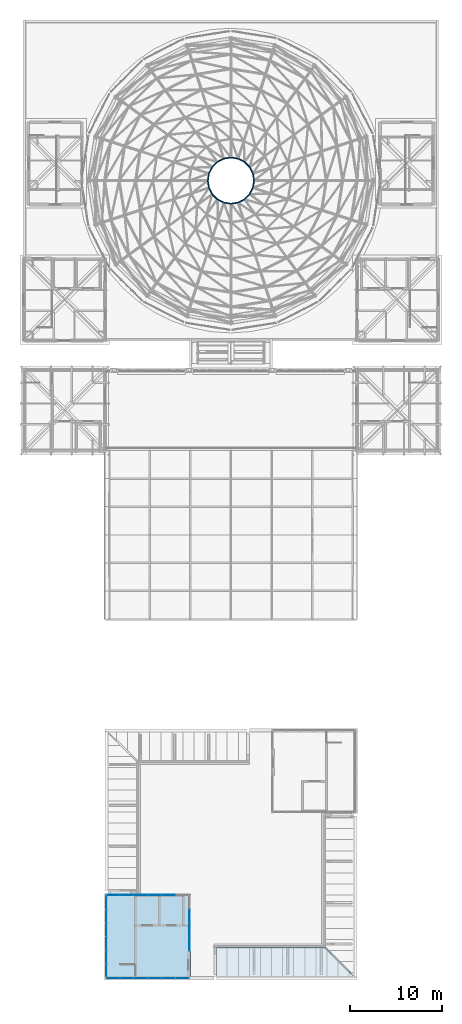
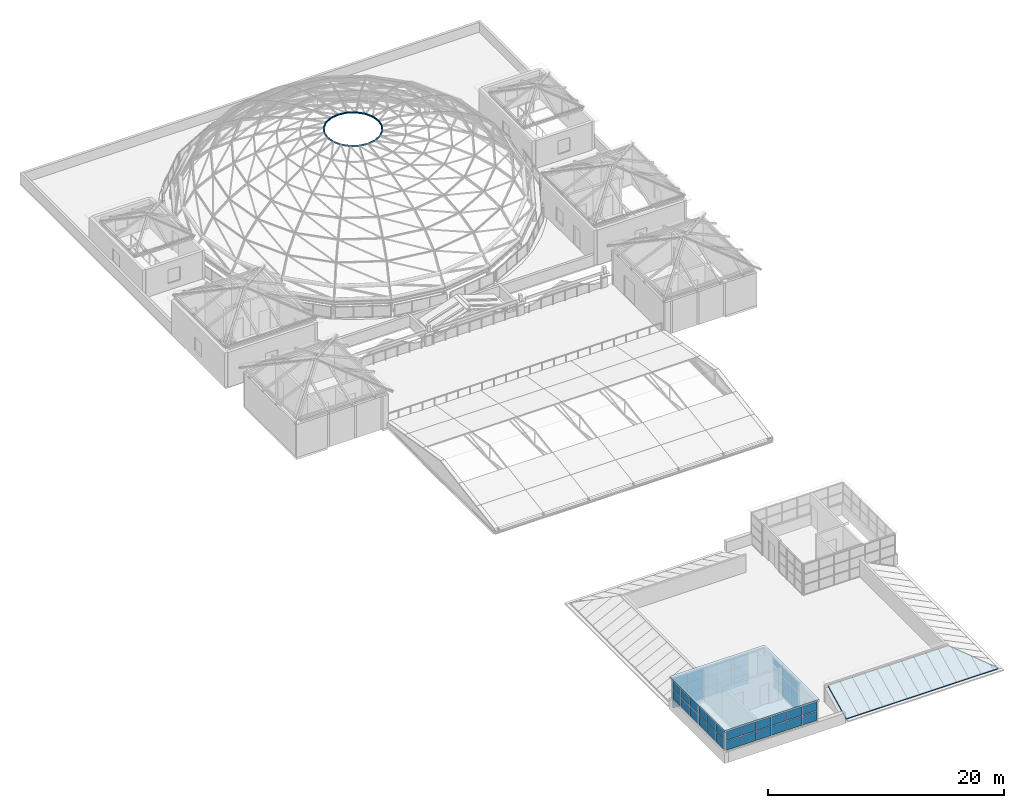
# One storey, part 39 of 69: 48 plates, 20 members, 2 slabs, 4 elements without a shape of their own.
"""IFC4 building model written with IfcOpenShell, lengths in metres."""

from ifc_helpers import new_model, si_unit, direction, frame, origin, origin_2d, place, context, subcontext, project, spatial, polyline, rectangle, hollow_circle, outline, extrude, material, layer, layer_set, material_profile, profile_set, type_object, element, aggregate, save


model = new_model("IFC4")

# Units and contexts
model_context = context("Model", 3, precision=1e-05, world=origin(), true_north=direction((0.0, 1.0)))
body_context = subcontext(model_context, "Body", "Model", "MODEL_VIEW")
ifc_project = project(units=[si_unit("LENGTHUNIT", "METRE"), si_unit("AREAUNIT", "SQUARE_METRE"), si_unit("VOLUMEUNIT", "CUBIC_METRE"), si_unit("PLANEANGLEUNIT", "RADIAN"), si_unit("MASSUNIT", "GRAM", prefix="KILO")], contexts=[model_context])

# Site, building, storey
site_placement = place(None, origin())
site = spatial("IfcSite", under=ifc_project, at=site_placement, CompositionType="ELEMENT")
building_placement = place(site_placement, origin())
building = spatial("IfcBuilding", under=site, at=building_placement, Name="Kallimachos Central Library", CompositionType="ELEMENT")
storey_placement = place(building_placement, frame((0.0, 0.0, 23.39990234375)))
storey = spatial("IfcBuildingStorey", under=building, at=storey_placement, Name="L05", CompositionType="ELEMENT", Elevation=23.39990234375)

# Members
ifc_material_1 = material(Name="Steel S355J2H", Category="steel")
ifc_material_profile = material_profile(ifc_material_1, hollow_circle(Radius=0.084228515625, WallThickness=0.008056640625, at=origin_2d()), Name="CHS 168.3x8")
ifc_profile_set = profile_set([ifc_material_profile], Name="Steel S355J2H")
member_type = type_object("IfcMemberType", Name="CHS 168.3x8 dome ring", PredefinedType="PURLIN", material=ifc_profile_set)
member_1_placement = place(storey_placement, frame((90.5, 104.39990234375, 8.245849609375), z_axis=(-0.156347167078, 0.987702163279, 0.0), x_axis=(-0.987702163279, -0.156347167078, 0.0)))
element("IfcMember", 1, at=member_1_placement, inside=storey, type_object=member_type, Name="Dome ring DN-0-00", PredefinedType="PURLIN", context=body_context, shape_type="SweptSolid", body=[
    extrude(hollow_circle(Radius=0.084228515625, WallThickness=0.008056640625, at=origin_2d()), origin(), (0.0, 0.0, 1.0), 0.7822265625),
])
member_2_placement = place(storey_placement, frame((90.377685546875, 105.172607421875, 8.245849609375), z_axis=(-0.454192305579, 0.890903670187, 0.0), x_axis=(-0.890903670187, -0.454192305579, 0.0)))
element("IfcMember", 2, at=member_2_placement, inside=storey, type_object=member_type, Name="Dome ring DN-0-01", PredefinedType="PURLIN", context=body_context, shape_type="SweptSolid", body=[
    extrude(hollow_circle(Radius=0.084228515625, WallThickness=0.008056640625, at=origin_2d()), origin(), (0.0, 0.0, 1.0), 0.781982421875),
])
for number, where, z_axis, x_axis, name in (
    (3, (90.0224609375, 105.869384765625, 8.245849609375), (-0.706950704207, 0.707262823723, 0.0), (-0.707262823723, -0.706950704207, 0.0), "Dome ring DN-0-02"),
    (4, (89.469482421875, 106.422607421875, 8.245849609375), (-0.891094274064, 0.453818239751, 0.0), (-0.453818239751, -0.891094274064, 0.0), "Dome ring DN-0-03"),
):
    element("IfcMember", number, at=place(storey_placement, frame(where, z_axis=z_axis, x_axis=x_axis)), inside=storey, type_object=member_type, Name=name, PredefinedType="PURLIN", context=body_context, shape_type="SweptSolid", body=[
        extrude(hollow_circle(Radius=0.084228515625, WallThickness=0.008056640625, at=origin_2d()), origin(), (0.0, 0.0, 1.0), 0.7822265625),
    ])
for number, where, z_axis, x_axis, name in (
    (5, (88.7724609375, 106.777587890625, 8.245849609375), (-0.987694531371, 0.156395373014, 0.0), (-0.156395373014, -0.987694531371, 0.0), "Dome ring DN-0-04"),
    (6, (88.0, 106.89990234375, 8.245849609375), (-0.987694531371, -0.156395373014, 0.0), (0.156395373014, -0.987694531371, 0.0), "Dome ring DN-0-05"),
):
    element("IfcMember", number, at=place(storey_placement, frame(where, z_axis=z_axis, x_axis=x_axis)), inside=storey, type_object=member_type, Name=name, PredefinedType="PURLIN", context=body_context, shape_type="SweptSolid", body=[
        extrude(hollow_circle(Radius=0.084228515625, WallThickness=0.008056640625, at=origin_2d()), origin(), (0.0, 0.0, 1.0), 0.781982421875),
    ])
for number, where, z_axis, x_axis, name in (
    (7, (87.2275390625, 106.777587890625, 8.245849609375), (-0.891094274064, -0.453818239751, 0.0), (0.453818239751, -0.891094274064, 0.0), "Dome ring DN-0-06"),
    (8, (86.530517578125, 106.422607421875, 8.245849609375), (-0.706950704207, -0.707262823723, 0.0), (0.707262823723, -0.706950704207, 0.0), "Dome ring DN-0-07"),
):
    element("IfcMember", number, at=place(storey_placement, frame(where, z_axis=z_axis, x_axis=x_axis)), inside=storey, type_object=member_type, Name=name, PredefinedType="PURLIN", context=body_context, shape_type="SweptSolid", body=[
        extrude(hollow_circle(Radius=0.084228515625, WallThickness=0.008056640625, at=origin_2d()), origin(), (0.0, 0.0, 1.0), 0.7822265625),
    ])
member_3_placement = place(storey_placement, frame((85.9775390625, 105.869384765625, 8.245849609375), z_axis=(-0.454192305579, -0.890903670187, 0.0), x_axis=(0.890903670187, -0.454192305579, 0.0)))
element("IfcMember", 9, at=member_3_placement, inside=storey, type_object=member_type, Name="Dome ring DN-0-08", PredefinedType="PURLIN", context=body_context, shape_type="SweptSolid", body=[
    extrude(hollow_circle(Radius=0.084228515625, WallThickness=0.008056640625, at=origin_2d()), origin(), (0.0, 0.0, 1.0), 0.781982421875),
])
member_4_placement = place(storey_placement, frame((85.622314453125, 105.172607421875, 8.245849609375), z_axis=(-0.156347167078, -0.987702163279, 0.0), x_axis=(0.987702163279, -0.156347167078, 0.0)))
element("IfcMember", 10, at=member_4_placement, inside=storey, type_object=member_type, Name="Dome ring DN-0-09", PredefinedType="PURLIN", context=body_context, shape_type="SweptSolid", body=[
    extrude(hollow_circle(Radius=0.084228515625, WallThickness=0.008056640625, at=origin_2d()), origin(), (0.0, 0.0, 1.0), 0.7822265625),
])
member_5_placement = place(storey_placement, frame((85.5, 104.39990234375, 8.245849609375), z_axis=(0.156395373014, -0.987694531371, 0.0), x_axis=(0.987694531371, 0.156395373014, 0.0)))
element("IfcMember", 11, at=member_5_placement, inside=storey, type_object=member_type, Name="Dome ring DN-0-10", PredefinedType="PURLIN", context=body_context, shape_type="SweptSolid", body=[
    extrude(hollow_circle(Radius=0.084228515625, WallThickness=0.008056640625, at=origin_2d()), origin(), (0.0, 0.0, 1.0), 0.781982421875),
])
member_6_placement = place(storey_placement, frame((85.622314453125, 103.62744140625, 8.245849609375), z_axis=(0.454066023354, -0.890968038953, 0.0), x_axis=(0.890968038953, 0.454066023354, 0.0)))
element("IfcMember", 12, at=member_6_placement, inside=storey, type_object=member_type, Name="Dome ring DN-0-11", PredefinedType="PURLIN", context=body_context, shape_type="SweptSolid", body=[
    extrude(hollow_circle(Radius=0.084228515625, WallThickness=0.008056640625, at=origin_2d()), origin(), (0.0, 0.0, 1.0), 0.7822265625),
])
member_7_placement = place(storey_placement, frame((85.9775390625, 102.930419921875, 8.245849609375), z_axis=(0.707106781187, -0.707106781187, 0.0), x_axis=(0.707106781187, 0.707106781187, 0.0)))
element("IfcMember", 13, at=member_7_placement, inside=storey, type_object=member_type, Name="Dome ring DN-0-12", PredefinedType="PURLIN", context=body_context, shape_type="SweptSolid", body=[
    extrude(hollow_circle(Radius=0.084228515625, WallThickness=0.008056640625, at=origin_2d()), origin(), (0.0, 0.0, 1.0), 0.781982421875),
])
for number, where, z_axis, x_axis, name in (
    (14, (86.530517578125, 102.37744140625, 8.245849609375), (0.891094274064, -0.453818239751, 0.0), (0.453818239751, 0.891094274064, 0.0), "Dome ring DN-0-13"),
    (15, (87.2275390625, 102.0224609375, 8.245849609375), (0.987646266172, -0.156699881675, 0.0), (0.156699881675, 0.987646266172, 0.0), "Dome ring DN-0-14"),
    (16, (88.0, 101.89990234375, 8.245849609375), (0.987646266172, 0.156699881675, 0.0), (-0.156699881675, 0.987646266172, 0.0), "Dome ring DN-0-15"),
    (17, (88.7724609375, 102.0224609375, 8.245849609375), (0.891094274064, 0.453818239751, 0.0), (-0.453818239751, 0.891094274064, 0.0), "Dome ring DN-0-16"),
):
    element("IfcMember", number, at=place(storey_placement, frame(where, z_axis=z_axis, x_axis=x_axis)), inside=storey, type_object=member_type, Name=name, PredefinedType="PURLIN", context=body_context, shape_type="SweptSolid", body=[
        extrude(hollow_circle(Radius=0.084228515625, WallThickness=0.008056640625, at=origin_2d()), origin(), (0.0, 0.0, 1.0), 0.7822265625),
    ])
member_8_placement = place(storey_placement, frame((89.469482421875, 102.37744140625, 8.245849609375), z_axis=(0.707106781187, 0.707106781187, 0.0), x_axis=(-0.707106781187, 0.707106781187, 0.0)))
element("IfcMember", 18, at=member_8_placement, inside=storey, type_object=member_type, Name="Dome ring DN-0-17", PredefinedType="PURLIN", context=body_context, shape_type="SweptSolid", body=[
    extrude(hollow_circle(Radius=0.084228515625, WallThickness=0.008056640625, at=origin_2d()), origin(), (0.0, 0.0, 1.0), 0.781982421875),
])
member_9_placement = place(storey_placement, frame((90.0224609375, 102.930419921875, 8.245849609375), z_axis=(0.454066023354, 0.890968038953, 0.0), x_axis=(-0.890968038953, 0.454066023354, 0.0)))
element("IfcMember", 19, at=member_9_placement, inside=storey, type_object=member_type, Name="Dome ring DN-0-18", PredefinedType="PURLIN", context=body_context, shape_type="SweptSolid", body=[
    extrude(hollow_circle(Radius=0.084228515625, WallThickness=0.008056640625, at=origin_2d()), origin(), (0.0, 0.0, 1.0), 0.7822265625),
])
member_10_placement = place(storey_placement, frame((90.377685546875, 103.62744140625, 8.245849609375), z_axis=(0.156395373014, 0.987694531371, 0.0), x_axis=(-0.987694531371, 0.156395373014, 0.0)))
element("IfcMember", 20, at=member_10_placement, inside=storey, type_object=member_type, Name="Dome ring DN-0-19", PredefinedType="PURLIN", context=body_context, shape_type="SweptSolid", body=[
    extrude(hollow_circle(Radius=0.084228515625, WallThickness=0.008056640625, at=origin_2d()), origin(), (0.0, 0.0, 1.0), 0.781982421875),
])

# Slab
ifc_material_2 = material(Name="Composite slab C30/37 on steel deck", Category="concrete")
ifc_layer_1 = layer(ifc_material_2, 0.199951171875)
ifc_layer_set_1 = layer_set([ifc_layer_1], Name="Head house roof slab 200")
slab_type_1 = type_object("IfcSlabType", Name="Head house roof slab 200", PredefinedType="ROOF", material=ifc_layer_set_1)
slab_1_placement = place(storey_placement, frame((0.0, 0.0, 3.2001953125)))
element("IfcSlab", 21, at=slab_1_placement, inside=storey, type_object=slab_type_1, Name="South-west lift head roof", PredefinedType="ROOF", context=body_context, shape_type="SweptSolid", body=[
    extrude(outline(polyline([(74.300048828125, 17.800048828125), (83.60009765625, 17.800048828125), (83.60009765625, 27.10009765625), (74.300048828125, 27.10009765625), (74.300048828125, 17.800048828125)])), origin(), (0.0, 0.0, 1.0), 0.199951171875),
])

# Curtain wall, plates
ifc_material_3 = material(Name="Aluminium and laminated glass", Category="aluminium")
curtain_wall_type = type_object("IfcCurtainWallType", Name="Glazed lantern wall", PredefinedType="NOTDEFINED", material=ifc_material_3)
curtain_wall_1_placement = place(storey_placement, origin())
curtain_wall_1 = element("IfcCurtainWall", 22, at=curtain_wall_1_placement, inside=storey, type_object=curtain_wall_type, Name="V5-CWL-L05-001", PredefinedType="NOTDEFINED")
ifc_material_4 = material(Name="Laminated glass", Category="glass")
ifc_layer_2 = layer(ifc_material_4, 0.028076171875)
ifc_layer_set_2 = layer_set([ifc_layer_2], Name="Laminated glass panel 28")
plate_type = type_object("IfcPlateType", Name="Laminated glass panel 28", PredefinedType="CURTAIN_PANEL", material=ifc_layer_set_2)
plate_1_placement = place(storey_placement, frame((75.264892578125, 18.0, 1.16015625), z_axis=(0.0, 0.0, 1.0), x_axis=(1.0, 0.0, 0.0)))
plate_1 = element("IfcPlate", 23, at=plate_1_placement, type_object=plate_type, Name="CW2 panel 1.1", PredefinedType="CURTAIN_PANEL", context=body_context, shape_type="SweptSolid", body=[
    extrude(rectangle(XDim=1.409912109375, YDim=0.028076171875, at=origin_2d()), origin(), (0.0, 0.0, 1.0), 0.9599609375),
])
plate_2_placement = place(storey_placement, frame((75.264892578125, 18.0, 2.18017578125), z_axis=(0.0, 0.0, 1.0), x_axis=(1.0, 0.0, 0.0)))
plate_2 = element("IfcPlate", 24, at=plate_2_placement, type_object=plate_type, Name="CW2 panel 1.2", PredefinedType="CURTAIN_PANEL", context=body_context, shape_type="SweptSolid", body=[
    extrude(rectangle(XDim=1.409912109375, YDim=0.028076171875, at=origin_2d()), origin(), (0.0, 0.0, 1.0), 0.9599609375),
])
plate_3_placement = place(storey_placement, frame((76.75, 18.0, 1.16015625), z_axis=(0.0, 0.0, 1.0), x_axis=(1.0, 0.0, 0.0)))
plate_3 = element("IfcPlate", 25, at=plate_3_placement, type_object=plate_type, Name="CW2 panel 2.1", PredefinedType="CURTAIN_PANEL", context=body_context, shape_type="SweptSolid", body=[
    extrude(rectangle(XDim=1.43994140625, YDim=0.028076171875, at=origin_2d()), origin(), (0.0, 0.0, 1.0), 0.9599609375),
])
plate_4_placement = place(storey_placement, frame((76.75, 18.0, 2.18017578125), z_axis=(0.0, 0.0, 1.0), x_axis=(1.0, 0.0, 0.0)))
plate_4 = element("IfcPlate", 26, at=plate_4_placement, type_object=plate_type, Name="CW2 panel 2.2", PredefinedType="CURTAIN_PANEL", context=body_context, shape_type="SweptSolid", body=[
    extrude(rectangle(XDim=1.43994140625, YDim=0.028076171875, at=origin_2d()), origin(), (0.0, 0.0, 1.0), 0.9599609375),
])
plate_5_placement = place(storey_placement, frame((78.25, 18.0, 1.16015625), z_axis=(0.0, 0.0, 1.0), x_axis=(1.0, 0.0, 0.0)))
plate_5 = element("IfcPlate", 27, at=plate_5_placement, type_object=plate_type, Name="CW2 panel 3.1", PredefinedType="CURTAIN_PANEL", context=body_context, shape_type="SweptSolid", body=[
    extrude(rectangle(XDim=1.43994140625, YDim=0.028076171875, at=origin_2d()), origin(), (0.0, 0.0, 1.0), 0.9599609375),
])
plate_6_placement = place(storey_placement, frame((78.25, 18.0, 2.18017578125), z_axis=(0.0, 0.0, 1.0), x_axis=(1.0, 0.0, 0.0)))
plate_6 = element("IfcPlate", 28, at=plate_6_placement, type_object=plate_type, Name="CW2 panel 3.2", PredefinedType="CURTAIN_PANEL", context=body_context, shape_type="SweptSolid", body=[
    extrude(rectangle(XDim=1.43994140625, YDim=0.028076171875, at=origin_2d()), origin(), (0.0, 0.0, 1.0), 0.9599609375),
])
plate_7_placement = place(storey_placement, frame((79.75, 18.0, 1.16015625), z_axis=(0.0, 0.0, 1.0), x_axis=(1.0, 0.0, 0.0)))
plate_7 = element("IfcPlate", 29, at=plate_7_placement, type_object=plate_type, Name="CW2 panel 4.1", PredefinedType="CURTAIN_PANEL", context=body_context, shape_type="SweptSolid", body=[
    extrude(rectangle(XDim=1.43994140625, YDim=0.028076171875, at=origin_2d()), origin(), (0.0, 0.0, 1.0), 0.9599609375),
])
plate_8_placement = place(storey_placement, frame((79.75, 18.0, 2.18017578125), z_axis=(0.0, 0.0, 1.0), x_axis=(1.0, 0.0, 0.0)))
plate_8 = element("IfcPlate", 30, at=plate_8_placement, type_object=plate_type, Name="CW2 panel 4.2", PredefinedType="CURTAIN_PANEL", context=body_context, shape_type="SweptSolid", body=[
    extrude(rectangle(XDim=1.43994140625, YDim=0.028076171875, at=origin_2d()), origin(), (0.0, 0.0, 1.0), 0.9599609375),
])
plate_9_placement = place(storey_placement, frame((81.25, 18.0, 1.16015625), z_axis=(0.0, 0.0, 1.0), x_axis=(1.0, 0.0, 0.0)))
plate_9 = element("IfcPlate", 31, at=plate_9_placement, type_object=plate_type, Name="CW2 panel 5.1", PredefinedType="CURTAIN_PANEL", context=body_context, shape_type="SweptSolid", body=[
    extrude(rectangle(XDim=1.43994140625, YDim=0.028076171875, at=origin_2d()), origin(), (0.0, 0.0, 1.0), 0.9599609375),
])
plate_10_placement = place(storey_placement, frame((81.25, 18.0, 2.18017578125), z_axis=(0.0, 0.0, 1.0), x_axis=(1.0, 0.0, 0.0)))
plate_10 = element("IfcPlate", 32, at=plate_10_placement, type_object=plate_type, Name="CW2 panel 5.2", PredefinedType="CURTAIN_PANEL", context=body_context, shape_type="SweptSolid", body=[
    extrude(rectangle(XDim=1.43994140625, YDim=0.028076171875, at=origin_2d()), origin(), (0.0, 0.0, 1.0), 0.9599609375),
])
plate_11_placement = place(storey_placement, frame((82.735107421875, 18.0, 1.16015625), z_axis=(0.0, 0.0, 1.0), x_axis=(1.0, 0.0, 0.0)))
plate_11 = element("IfcPlate", 33, at=plate_11_placement, type_object=plate_type, Name="CW2 panel 6.1", PredefinedType="CURTAIN_PANEL", context=body_context, shape_type="SweptSolid", body=[
    extrude(rectangle(XDim=1.409912109375, YDim=0.028076171875, at=origin_2d()), origin(), (0.0, 0.0, 1.0), 0.9599609375),
])
plate_12_placement = place(storey_placement, frame((82.735107421875, 18.0, 2.18017578125), z_axis=(0.0, 0.0, 1.0), x_axis=(1.0, 0.0, 0.0)))
plate_12 = element("IfcPlate", 34, at=plate_12_placement, type_object=plate_type, Name="CW2 panel 6.2", PredefinedType="CURTAIN_PANEL", context=body_context, shape_type="SweptSolid", body=[
    extrude(rectangle(XDim=1.409912109375, YDim=0.028076171875, at=origin_2d()), origin(), (0.0, 0.0, 1.0), 0.9599609375),
])
aggregate(curtain_wall_1, [plate_1, plate_2, plate_3, plate_4, plate_5, plate_6, plate_7, plate_8, plate_9, plate_10, plate_11, plate_12])

curtain_wall_2_placement = place(storey_placement, origin())
curtain_wall_2 = element("IfcCurtainWall", 35, at=curtain_wall_2_placement, inside=storey, type_object=curtain_wall_type, Name="V5-CWL-L05-002", PredefinedType="NOTDEFINED")
plate_13_placement = place(storey_placement, frame((74.5, 18.831787109375, 1.16015625), z_axis=(0.0, 0.0, 1.0), x_axis=(0.0, 1.0, 0.0)))
plate_13 = element("IfcPlate", 36, at=plate_13_placement, type_object=plate_type, Name="CW3 panel 1.1", PredefinedType="CURTAIN_PANEL", context=body_context, shape_type="SweptSolid", body=[
    extrude(rectangle(XDim=1.38330078125, YDim=0.028076171875, at=origin_2d()), origin(), (0.0, 0.0, 1.0), 0.9599609375),
])
plate_14_placement = place(storey_placement, frame((74.5, 18.831787109375, 2.18017578125), z_axis=(0.0, 0.0, 1.0), x_axis=(0.0, 1.0, 0.0)))
plate_14 = element("IfcPlate", 37, at=plate_14_placement, type_object=plate_type, Name="CW3 panel 1.2", PredefinedType="CURTAIN_PANEL", context=body_context, shape_type="SweptSolid", body=[
    extrude(rectangle(XDim=1.38330078125, YDim=0.028076171875, at=origin_2d()), origin(), (0.0, 0.0, 1.0), 0.9599609375),
])
plate_15_placement = place(storey_placement, frame((74.5, 20.2900390625, 1.16015625), z_axis=(0.0, 0.0, 1.0), x_axis=(0.0, 1.0, 0.0)))
plate_15 = element("IfcPlate", 38, at=plate_15_placement, type_object=plate_type, Name="CW3 panel 2.1", PredefinedType="CURTAIN_PANEL", context=body_context, shape_type="SweptSolid", body=[
    extrude(rectangle(XDim=1.413330078125, YDim=0.028076171875, at=origin_2d()), origin(), (0.0, 0.0, 1.0), 0.9599609375),
])
plate_16_placement = place(storey_placement, frame((74.5, 20.2900390625, 2.18017578125), z_axis=(0.0, 0.0, 1.0), x_axis=(0.0, 1.0, 0.0)))
plate_16 = element("IfcPlate", 39, at=plate_16_placement, type_object=plate_type, Name="CW3 panel 2.2", PredefinedType="CURTAIN_PANEL", context=body_context, shape_type="SweptSolid", body=[
    extrude(rectangle(XDim=1.413330078125, YDim=0.028076171875, at=origin_2d()), origin(), (0.0, 0.0, 1.0), 0.9599609375),
])
plate_17_placement = place(storey_placement, frame((74.5, 21.763427734375, 1.16015625), z_axis=(0.0, 0.0, 1.0), x_axis=(0.0, 1.0, 0.0)))
plate_17 = element("IfcPlate", 40, at=plate_17_placement, type_object=plate_type, Name="CW3 panel 3.1", PredefinedType="CURTAIN_PANEL", context=body_context, shape_type="SweptSolid", body=[
    extrude(rectangle(XDim=1.413330078125, YDim=0.028076171875, at=origin_2d()), origin(), (0.0, 0.0, 1.0), 0.9599609375),
])
plate_18_placement = place(storey_placement, frame((74.5, 21.763427734375, 2.18017578125), z_axis=(0.0, 0.0, 1.0), x_axis=(0.0, 1.0, 0.0)))
plate_18 = element("IfcPlate", 41, at=plate_18_placement, type_object=plate_type, Name="CW3 panel 3.2", PredefinedType="CURTAIN_PANEL", context=body_context, shape_type="SweptSolid", body=[
    extrude(rectangle(XDim=1.413330078125, YDim=0.028076171875, at=origin_2d()), origin(), (0.0, 0.0, 1.0), 0.9599609375),
])
plate_19_placement = place(storey_placement, frame((74.5, 23.236572265625, 1.16015625), z_axis=(0.0, 0.0, 1.0), x_axis=(0.0, 1.0, 0.0)))
plate_19 = element("IfcPlate", 42, at=plate_19_placement, type_object=plate_type, Name="CW3 panel 4.1", PredefinedType="CURTAIN_PANEL", context=body_context, shape_type="SweptSolid", body=[
    extrude(rectangle(XDim=1.413330078125, YDim=0.028076171875, at=origin_2d()), origin(), (0.0, 0.0, 1.0), 0.9599609375),
])
plate_20_placement = place(storey_placement, frame((74.5, 23.236572265625, 2.18017578125), z_axis=(0.0, 0.0, 1.0), x_axis=(0.0, 1.0, 0.0)))
plate_20 = element("IfcPlate", 43, at=plate_20_placement, type_object=plate_type, Name="CW3 panel 4.2", PredefinedType="CURTAIN_PANEL", context=body_context, shape_type="SweptSolid", body=[
    extrude(rectangle(XDim=1.413330078125, YDim=0.028076171875, at=origin_2d()), origin(), (0.0, 0.0, 1.0), 0.9599609375),
])
plate_21_placement = place(storey_placement, frame((74.5, 24.7099609375, 1.16015625), z_axis=(0.0, 0.0, 1.0), x_axis=(0.0, 1.0, 0.0)))
plate_21 = element("IfcPlate", 44, at=plate_21_placement, type_object=plate_type, Name="CW3 panel 5.1", PredefinedType="CURTAIN_PANEL", context=body_context, shape_type="SweptSolid", body=[
    extrude(rectangle(XDim=1.413330078125, YDim=0.028076171875, at=origin_2d()), origin(), (0.0, 0.0, 1.0), 0.9599609375),
])
plate_22_placement = place(storey_placement, frame((74.5, 24.7099609375, 2.18017578125), z_axis=(0.0, 0.0, 1.0), x_axis=(0.0, 1.0, 0.0)))
plate_22 = element("IfcPlate", 45, at=plate_22_placement, type_object=plate_type, Name="CW3 panel 5.2", PredefinedType="CURTAIN_PANEL", context=body_context, shape_type="SweptSolid", body=[
    extrude(rectangle(XDim=1.413330078125, YDim=0.028076171875, at=origin_2d()), origin(), (0.0, 0.0, 1.0), 0.9599609375),
])
plate_23_placement = place(storey_placement, frame((74.5, 26.168212890625, 1.16015625), z_axis=(0.0, 0.0, 1.0), x_axis=(0.0, 1.0, 0.0)))
plate_23 = element("IfcPlate", 46, at=plate_23_placement, type_object=plate_type, Name="CW3 panel 6.1", PredefinedType="CURTAIN_PANEL", context=body_context, shape_type="SweptSolid", body=[
    extrude(rectangle(XDim=1.38330078125, YDim=0.028076171875, at=origin_2d()), origin(), (0.0, 0.0, 1.0), 0.9599609375),
])
plate_24_placement = place(storey_placement, frame((74.5, 26.168212890625, 2.18017578125), z_axis=(0.0, 0.0, 1.0), x_axis=(0.0, 1.0, 0.0)))
plate_24 = element("IfcPlate", 47, at=plate_24_placement, type_object=plate_type, Name="CW3 panel 6.2", PredefinedType="CURTAIN_PANEL", context=body_context, shape_type="SweptSolid", body=[
    extrude(rectangle(XDim=1.38330078125, YDim=0.028076171875, at=origin_2d()), origin(), (0.0, 0.0, 1.0), 0.9599609375),
])
aggregate(curtain_wall_2, [plate_13, plate_14, plate_15, plate_16, plate_17, plate_18, plate_19, plate_20, plate_21, plate_22, plate_23, plate_24])

curtain_wall_3_placement = place(storey_placement, origin())
curtain_wall_3 = element("IfcCurtainWall", 48, at=curtain_wall_3_placement, inside=storey, type_object=curtain_wall_type, Name="V5-CWL-L05-003", PredefinedType="NOTDEFINED")
plate_25_placement = place(storey_placement, frame((75.264892578125, 27.0, 0.06005859375), z_axis=(0.0, 0.0, 1.0), x_axis=(1.0, 0.0, 0.0)))
plate_25 = element("IfcPlate", 49, at=plate_25_placement, type_object=plate_type, Name="CW4 panel 1.1", PredefinedType="CURTAIN_PANEL", context=body_context, shape_type="SweptSolid", body=[
    extrude(rectangle(XDim=1.409912109375, YDim=0.028076171875, at=origin_2d()), origin(), (0.0, 0.0, 1.0), 0.976806640625),
])
plate_26_placement = place(storey_placement, frame((75.264892578125, 27.0, 1.0966796875), z_axis=(0.0, 0.0, 1.0), x_axis=(1.0, 0.0, 0.0)))
plate_26 = element("IfcPlate", 50, at=plate_26_placement, type_object=plate_type, Name="CW4 panel 1.2", PredefinedType="CURTAIN_PANEL", context=body_context, shape_type="SweptSolid", body=[
    extrude(rectangle(XDim=1.409912109375, YDim=0.028076171875, at=origin_2d()), origin(), (0.0, 0.0, 1.0), 1.006591796875),
])
plate_27_placement = place(storey_placement, frame((75.264892578125, 27.0, 2.16357421875), z_axis=(0.0, 0.0, 1.0), x_axis=(1.0, 0.0, 0.0)))
plate_27 = element("IfcPlate", 51, at=plate_27_placement, type_object=plate_type, Name="CW4 panel 1.3", PredefinedType="CURTAIN_PANEL", context=body_context, shape_type="SweptSolid", body=[
    extrude(rectangle(XDim=1.409912109375, YDim=0.028076171875, at=origin_2d()), origin(), (0.0, 0.0, 1.0), 0.976806640625),
])
plate_28_placement = place(storey_placement, frame((76.75, 27.0, 0.06005859375), z_axis=(0.0, 0.0, 1.0), x_axis=(1.0, 0.0, 0.0)))
plate_28 = element("IfcPlate", 52, at=plate_28_placement, type_object=plate_type, Name="CW4 panel 2.1", PredefinedType="CURTAIN_PANEL", context=body_context, shape_type="SweptSolid", body=[
    extrude(rectangle(XDim=1.43994140625, YDim=0.028076171875, at=origin_2d()), origin(), (0.0, 0.0, 1.0), 0.976806640625),
])
plate_29_placement = place(storey_placement, frame((76.75, 27.0, 1.0966796875), z_axis=(0.0, 0.0, 1.0), x_axis=(1.0, 0.0, 0.0)))
plate_29 = element("IfcPlate", 53, at=plate_29_placement, type_object=plate_type, Name="CW4 panel 2.2", PredefinedType="CURTAIN_PANEL", context=body_context, shape_type="SweptSolid", body=[
    extrude(rectangle(XDim=1.43994140625, YDim=0.028076171875, at=origin_2d()), origin(), (0.0, 0.0, 1.0), 1.006591796875),
])
plate_30_placement = place(storey_placement, frame((76.75, 27.0, 2.16357421875), z_axis=(0.0, 0.0, 1.0), x_axis=(1.0, 0.0, 0.0)))
plate_30 = element("IfcPlate", 54, at=plate_30_placement, type_object=plate_type, Name="CW4 panel 2.3", PredefinedType="CURTAIN_PANEL", context=body_context, shape_type="SweptSolid", body=[
    extrude(rectangle(XDim=1.43994140625, YDim=0.028076171875, at=origin_2d()), origin(), (0.0, 0.0, 1.0), 0.976806640625),
])
plate_31_placement = place(storey_placement, frame((78.25, 27.0, 0.06005859375), z_axis=(0.0, 0.0, 1.0), x_axis=(1.0, 0.0, 0.0)))
plate_31 = element("IfcPlate", 55, at=plate_31_placement, type_object=plate_type, Name="CW4 panel 3.1", PredefinedType="CURTAIN_PANEL", context=body_context, shape_type="SweptSolid", body=[
    extrude(rectangle(XDim=1.43994140625, YDim=0.028076171875, at=origin_2d()), origin(), (0.0, 0.0, 1.0), 0.976806640625),
])
plate_32_placement = place(storey_placement, frame((78.25, 27.0, 1.0966796875), z_axis=(0.0, 0.0, 1.0), x_axis=(1.0, 0.0, 0.0)))
plate_32 = element("IfcPlate", 56, at=plate_32_placement, type_object=plate_type, Name="CW4 panel 3.2", PredefinedType="CURTAIN_PANEL", context=body_context, shape_type="SweptSolid", body=[
    extrude(rectangle(XDim=1.43994140625, YDim=0.028076171875, at=origin_2d()), origin(), (0.0, 0.0, 1.0), 1.006591796875),
])
plate_33_placement = place(storey_placement, frame((78.25, 27.0, 2.16357421875), z_axis=(0.0, 0.0, 1.0), x_axis=(1.0, 0.0, 0.0)))
plate_33 = element("IfcPlate", 57, at=plate_33_placement, type_object=plate_type, Name="CW4 panel 3.3", PredefinedType="CURTAIN_PANEL", context=body_context, shape_type="SweptSolid", body=[
    extrude(rectangle(XDim=1.43994140625, YDim=0.028076171875, at=origin_2d()), origin(), (0.0, 0.0, 1.0), 0.976806640625),
])
plate_34_placement = place(storey_placement, frame((79.75, 27.0, 0.06005859375), z_axis=(0.0, 0.0, 1.0), x_axis=(1.0, 0.0, 0.0)))
plate_34 = element("IfcPlate", 58, at=plate_34_placement, type_object=plate_type, Name="CW4 panel 4.1", PredefinedType="CURTAIN_PANEL", context=body_context, shape_type="SweptSolid", body=[
    extrude(rectangle(XDim=1.43994140625, YDim=0.028076171875, at=origin_2d()), origin(), (0.0, 0.0, 1.0), 0.976806640625),
])
plate_35_placement = place(storey_placement, frame((79.75, 27.0, 1.0966796875), z_axis=(0.0, 0.0, 1.0), x_axis=(1.0, 0.0, 0.0)))
plate_35 = element("IfcPlate", 59, at=plate_35_placement, type_object=plate_type, Name="CW4 panel 4.2", PredefinedType="CURTAIN_PANEL", context=body_context, shape_type="SweptSolid", body=[
    extrude(rectangle(XDim=1.43994140625, YDim=0.028076171875, at=origin_2d()), origin(), (0.0, 0.0, 1.0), 1.006591796875),
])
plate_36_placement = place(storey_placement, frame((79.75, 27.0, 2.16357421875), z_axis=(0.0, 0.0, 1.0), x_axis=(1.0, 0.0, 0.0)))
plate_36 = element("IfcPlate", 60, at=plate_36_placement, type_object=plate_type, Name="CW4 panel 4.3", PredefinedType="CURTAIN_PANEL", context=body_context, shape_type="SweptSolid", body=[
    extrude(rectangle(XDim=1.43994140625, YDim=0.028076171875, at=origin_2d()), origin(), (0.0, 0.0, 1.0), 0.976806640625),
])
plate_37_placement = place(storey_placement, frame((81.25, 27.0, 0.06005859375), z_axis=(0.0, 0.0, 1.0), x_axis=(1.0, 0.0, 0.0)))
plate_37 = element("IfcPlate", 61, at=plate_37_placement, type_object=plate_type, Name="CW4 panel 5.1", PredefinedType="CURTAIN_PANEL", context=body_context, shape_type="SweptSolid", body=[
    extrude(rectangle(XDim=1.43994140625, YDim=0.028076171875, at=origin_2d()), origin(), (0.0, 0.0, 1.0), 0.976806640625),
])
plate_38_placement = place(storey_placement, frame((81.25, 27.0, 1.0966796875), z_axis=(0.0, 0.0, 1.0), x_axis=(1.0, 0.0, 0.0)))
plate_38 = element("IfcPlate", 62, at=plate_38_placement, type_object=plate_type, Name="CW4 panel 5.2", PredefinedType="CURTAIN_PANEL", context=body_context, shape_type="SweptSolid", body=[
    extrude(rectangle(XDim=1.43994140625, YDim=0.028076171875, at=origin_2d()), origin(), (0.0, 0.0, 1.0), 1.006591796875),
])
plate_39_placement = place(storey_placement, frame((81.25, 27.0, 2.16357421875), z_axis=(0.0, 0.0, 1.0), x_axis=(1.0, 0.0, 0.0)))
plate_39 = element("IfcPlate", 63, at=plate_39_placement, type_object=plate_type, Name="CW4 panel 5.3", PredefinedType="CURTAIN_PANEL", context=body_context, shape_type="SweptSolid", body=[
    extrude(rectangle(XDim=1.43994140625, YDim=0.028076171875, at=origin_2d()), origin(), (0.0, 0.0, 1.0), 0.976806640625),
])
aggregate(curtain_wall_3, [plate_25, plate_26, plate_27, plate_28, plate_29, plate_30, plate_31, plate_32, plate_33, plate_34, plate_35, plate_36, plate_37, plate_38, plate_39])

curtain_wall_4_placement = place(storey_placement, origin())
curtain_wall_4 = element("IfcCurtainWall", 64, at=curtain_wall_4_placement, inside=storey, type_object=curtain_wall_type, Name="V5-CWL-L05-004", PredefinedType="NOTDEFINED")
plate_40_placement = place(storey_placement, frame((83.5, 21.66748046875, 0.06005859375), z_axis=(0.0, 0.0, 1.0), x_axis=(0.0, 1.0, 0.0)))
plate_40 = element("IfcPlate", 65, at=plate_40_placement, type_object=plate_type, Name="CW5 panel 1.1", PredefinedType="CURTAIN_PANEL", context=body_context, shape_type="SweptSolid", body=[
    extrude(rectangle(XDim=1.4150390625, YDim=0.028076171875, at=origin_2d()), origin(), (0.0, 0.0, 1.0), 0.976806640625),
])
plate_41_placement = place(storey_placement, frame((83.5, 21.66748046875, 1.0966796875), z_axis=(0.0, 0.0, 1.0), x_axis=(0.0, 1.0, 0.0)))
plate_41 = element("IfcPlate", 66, at=plate_41_placement, type_object=plate_type, Name="CW5 panel 1.2", PredefinedType="CURTAIN_PANEL", context=body_context, shape_type="SweptSolid", body=[
    extrude(rectangle(XDim=1.4150390625, YDim=0.028076171875, at=origin_2d()), origin(), (0.0, 0.0, 1.0), 1.006591796875),
])
plate_42_placement = place(storey_placement, frame((83.5, 21.66748046875, 2.16357421875), z_axis=(0.0, 0.0, 1.0), x_axis=(0.0, 1.0, 0.0)))
plate_42 = element("IfcPlate", 67, at=plate_42_placement, type_object=plate_type, Name="CW5 panel 1.3", PredefinedType="CURTAIN_PANEL", context=body_context, shape_type="SweptSolid", body=[
    extrude(rectangle(XDim=1.4150390625, YDim=0.028076171875, at=origin_2d()), origin(), (0.0, 0.0, 1.0), 0.976806640625),
])
plate_43_placement = place(storey_placement, frame((83.5, 23.157470703125, 0.06005859375), z_axis=(0.0, 0.0, 1.0), x_axis=(0.0, 1.0, 0.0)))
plate_43 = element("IfcPlate", 68, at=plate_43_placement, type_object=plate_type, Name="CW5 panel 2.1", PredefinedType="CURTAIN_PANEL", context=body_context, shape_type="SweptSolid", body=[
    extrude(rectangle(XDim=1.445068359375, YDim=0.028076171875, at=origin_2d()), origin(), (0.0, 0.0, 1.0), 0.976806640625),
])
plate_44_placement = place(storey_placement, frame((83.5, 23.157470703125, 1.0966796875), z_axis=(0.0, 0.0, 1.0), x_axis=(0.0, 1.0, 0.0)))
plate_44 = element("IfcPlate", 69, at=plate_44_placement, type_object=plate_type, Name="CW5 panel 2.2", PredefinedType="CURTAIN_PANEL", context=body_context, shape_type="SweptSolid", body=[
    extrude(rectangle(XDim=1.445068359375, YDim=0.028076171875, at=origin_2d()), origin(), (0.0, 0.0, 1.0), 1.006591796875),
])
plate_45_placement = place(storey_placement, frame((83.5, 23.157470703125, 2.16357421875), z_axis=(0.0, 0.0, 1.0), x_axis=(0.0, 1.0, 0.0)))
plate_45 = element("IfcPlate", 70, at=plate_45_placement, type_object=plate_type, Name="CW5 panel 2.3", PredefinedType="CURTAIN_PANEL", context=body_context, shape_type="SweptSolid", body=[
    extrude(rectangle(XDim=1.445068359375, YDim=0.028076171875, at=origin_2d()), origin(), (0.0, 0.0, 1.0), 0.976806640625),
])
plate_46_placement = place(storey_placement, frame((83.5, 24.66259765625, 0.06005859375), z_axis=(0.0, 0.0, 1.0), x_axis=(0.0, 1.0, 0.0)))
plate_46 = element("IfcPlate", 71, at=plate_46_placement, type_object=plate_type, Name="CW5 panel 3.1", PredefinedType="CURTAIN_PANEL", context=body_context, shape_type="SweptSolid", body=[
    extrude(rectangle(XDim=1.445068359375, YDim=0.028076171875, at=origin_2d()), origin(), (0.0, 0.0, 1.0), 0.976806640625),
])
plate_47_placement = place(storey_placement, frame((83.5, 24.66259765625, 1.0966796875), z_axis=(0.0, 0.0, 1.0), x_axis=(0.0, 1.0, 0.0)))
plate_47 = element("IfcPlate", 72, at=plate_47_placement, type_object=plate_type, Name="CW5 panel 3.2", PredefinedType="CURTAIN_PANEL", context=body_context, shape_type="SweptSolid", body=[
    extrude(rectangle(XDim=1.445068359375, YDim=0.028076171875, at=origin_2d()), origin(), (0.0, 0.0, 1.0), 1.006591796875),
])
plate_48_placement = place(storey_placement, frame((83.5, 24.66259765625, 2.16357421875), z_axis=(0.0, 0.0, 1.0), x_axis=(0.0, 1.0, 0.0)))
plate_48 = element("IfcPlate", 73, at=plate_48_placement, type_object=plate_type, Name="CW5 panel 3.3", PredefinedType="CURTAIN_PANEL", context=body_context, shape_type="SweptSolid", body=[
    extrude(rectangle(XDim=1.445068359375, YDim=0.028076171875, at=origin_2d()), origin(), (0.0, 0.0, 1.0), 0.976806640625),
])
aggregate(curtain_wall_4, [plate_40, plate_41, plate_42, plate_43, plate_44, plate_45, plate_46, plate_47, plate_48])

# Slab
ifc_material_5 = material(Name="Reinforced concrete C30/37", Category="concrete")
ifc_layer_3 = layer(ifc_material_5, 0.14990234375)
ifc_layer_set_3 = layer_set([ifc_layer_3], Name="Roof ring slab 150")
slab_type_2 = type_object("IfcSlabType", Name="Roof ring slab 150", PredefinedType="ROOF", material=ifc_layer_set_3)
slab_2_placement = place(storey_placement, frame((86.449951171875, 18.199951171875, 0.150146484375), z_axis=(0.0, -0.4472135955, 0.894427191), x_axis=(1.0, 0.0, 0.0)))
element("IfcSlab", 74, at=slab_2_placement, inside=storey, type_object=slab_type_2, Name="Roof ring South", PredefinedType="ROOF", context=body_context, shape_type="SweptSolid", body=[
    extrude(outline(polyline([(0.0, 0.0), (14.85009765625, 0.0), (11.75, 3.4660145481313878), (0.0, 3.4660145481313878), (0.0, 0.0)])), origin(), (0.0, 0.0, -1.0), 0.14990234375),
])

save(model, "model.ifc")
